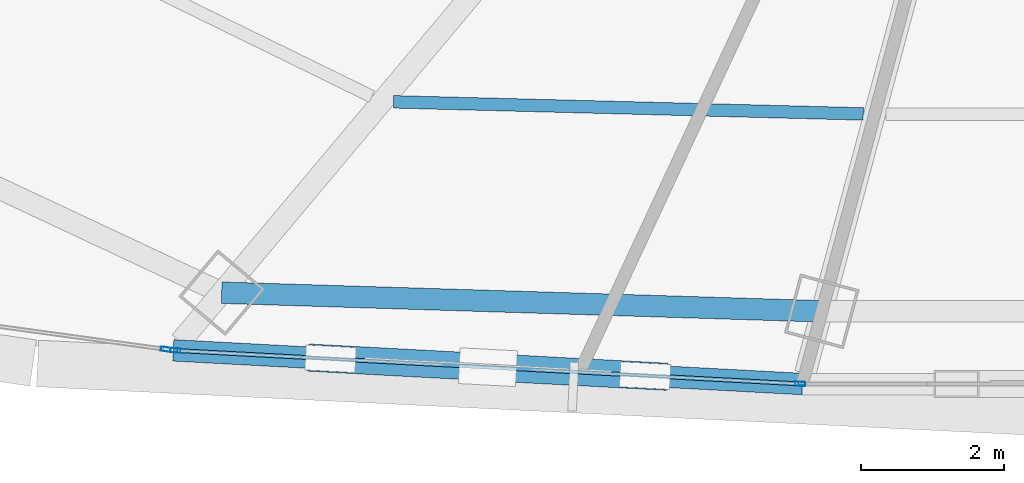
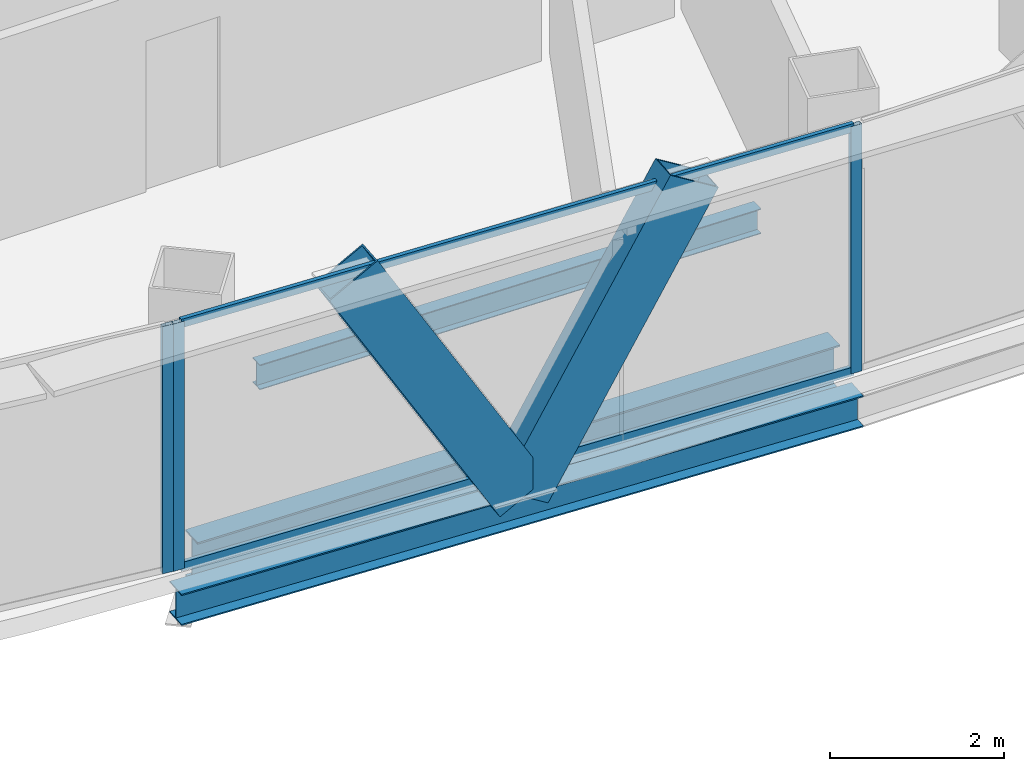
# One storey, part 6 of 36: 7 members, 3 beams, 2 elements without a shape of their own.
"""IFC4 building model written with IfcOpenShell, lengths in metres."""

from ifc_helpers import new_model, si_unit, direction, frame, origin, origin_2d, place, context, subcontext, project, spatial, hollow_rectangle, i_section, extrude, source, transform, mapped, material, layer, layer_set, material_profile, profile_set, type_object, element, aggregate, save


model = new_model("IFC4")

# Units and contexts
model_context = context("Model", 3, precision=1e-05, world=origin(), true_north=direction((0.0, 1.0)))
body_context = subcontext(model_context, "Body", "Model", "MODEL_VIEW")
ifc_project = project(units=[si_unit("LENGTHUNIT", "METRE"), si_unit("AREAUNIT", "SQUARE_METRE"), si_unit("VOLUMEUNIT", "CUBIC_METRE"), si_unit("PLANEANGLEUNIT", "RADIAN"), si_unit("MASSUNIT", "GRAM", prefix="KILO"), si_unit("THERMODYNAMICTEMPERATUREUNIT", "KELVIN"), si_unit("POWERUNIT", "WATT")], contexts=[model_context])

# Site, building, storey
site_placement = place(None, origin())
site = spatial("IfcSite", under=ifc_project, at=site_placement, CompositionType="ELEMENT")
building_placement = place(site_placement, origin())
building = spatial("IfcBuilding", under=site, at=building_placement, Name="Yunzhuo Pagoda Commons", CompositionType="ELEMENT")
storey_placement = place(building_placement, frame((0.0, 0.0, 263.179931640625)))
storey = spatial("IfcBuildingStorey", under=building, at=storey_placement, Name="L66", CompositionType="ELEMENT", Elevation=263.179931640625)

# Beams
ifc_material_1 = material(Name="Structural steel Q355B", Category="steel")
ifc_material_profile_1 = material_profile(ifc_material_1, i_section(OverallWidth=0.300048828125, OverallDepth=0.64990234375, WebThickness=0.012939453125, FlangeThickness=0.02197265625, at=origin_2d()), Name="Structural steel Q355B")
ifc_profile_set_1 = profile_set([ifc_material_profile_1], Name="Structural steel Q355B")
beam_type_1 = type_object("IfcBeamType", Name="B-RG2 Beam HN 650x300x13x22", PredefinedType="BEAM", material=ifc_profile_set_1)
shared_shape_1 = source(origin(), body_context, "Body", "SweptSolid", [
    extrude(i_section(OverallWidth=0.300048828125, OverallDepth=0.64990234375, WebThickness=0.012939453125, FlangeThickness=0.02197265625, at=origin_2d()), origin(), (0.0, 0.0, 1.0), 8.37939453125),
])
beam_1_placement = place(storey_placement, frame((35.593017578125, 18.913818359375, -0.5849609375), z_axis=(0.999519382133, -0.031000076447, 0.0), x_axis=(0.031000076447, 0.999519382133, 0.0)))
element("IfcBeam", 1, at=beam_1_placement, inside=storey, type_object=beam_type_1, Name="L66 column-ring beam 1", PredefinedType="BEAM", context=body_context, shape_type="MappedRepresentation", body=[
    mapped(shared_shape_1, transform((0.0, 0.0, 0.0), scale=1.0)),
])
ifc_material_profile_2 = material_profile(ifc_material_1, i_section(OverallWidth=0.175048828125, OverallDepth=0.35009765625, WebThickness=0.007080078125, FlangeThickness=0.010986328125, at=origin_2d()), Name="Structural steel Q355B")
ifc_profile_set_2 = profile_set([ifc_material_profile_2], Name="Structural steel Q355B")
beam_type_2 = type_object("IfcBeamType", Name="B-JS2 Joist HN 350x175x7x11", PredefinedType="JOIST", material=ifc_profile_set_2)
shared_shape_2 = source(origin(), body_context, "Body", "SweptSolid", [
    extrude(i_section(OverallWidth=0.175048828125, OverallDepth=0.35009765625, WebThickness=0.007080078125, FlangeThickness=0.010986328125, at=origin_2d()), origin(), (0.0, 0.0, 1.0), 6.558349609375),
])
beam_2_placement = place(storey_placement, frame((37.990234375, 21.577392578125, -0.434814453125), z_axis=(0.99966910323, -0.025723220017, 0.0), x_axis=(0.025723220017, 0.99966910323, 0.0)))
element("IfcBeam", 2, at=beam_2_placement, inside=storey, type_object=beam_type_2, Name="L66 composite ring joist 2.1", PredefinedType="JOIST", context=body_context, shape_type="MappedRepresentation", body=[
    mapped(shared_shape_2, transform((0.0, 0.0, 0.0), scale=1.0)),
])
ifc_material_profile_3 = material_profile(ifc_material_1, i_section(OverallWidth=0.300048828125, OverallDepth=0.43994140625, WebThickness=0.010986328125, FlangeThickness=0.01806640625, at=origin_2d()), Name="Structural steel Q355B")
ifc_profile_set_3 = profile_set([ifc_material_profile_3], Name="Structural steel Q355B")
beam_type_3 = type_object("IfcBeamType", Name="B-SP2 Beam HM 440x300x11x18", PredefinedType="BEAM", material=ifc_profile_set_3)
shared_shape_3 = source(origin(), body_context, "Body", "SweptSolid", [
    extrude(i_section(OverallWidth=0.300048828125, OverallDepth=0.43994140625, WebThickness=0.010986328125, FlangeThickness=0.01806640625, at=origin_2d()), origin(), (0.0, 0.0, 1.0), 8.791259765625),
])
beam_3_placement = place(storey_placement, frame((34.91796875, 18.109375, -0.47998046875), z_axis=(0.998571573919, -0.053430438518, 0.0), x_axis=(0.053430438518, 0.998571573919, 0.0)))
element("IfcBeam", 3, at=beam_3_placement, inside=storey, type_object=beam_type_3, Name="L66 facade edge spandrel beam F1.1", PredefinedType="BEAM", context=body_context, shape_type="MappedRepresentation", body=[
    mapped(shared_shape_3, transform((0.0, 0.0, 0.0), scale=1.0)),
])

# Members
ifc_material_profile_4 = material_profile(ifc_material_1, hollow_rectangle(XDim=0.3798828125, YDim=0.719970703125, WallThickness=0.02001953125, at=origin_2d()), Name="Structural steel Q355B")
ifc_profile_set_4 = profile_set([ifc_material_profile_4], Name="Structural steel Q355B")
member_type_1 = type_object("IfcMemberType", Name="M-DL3 Brace BOX 720x380x20", PredefinedType="BRACE", material=ifc_profile_set_4)
shared_shape_4 = source(origin(), body_context, "Body", "SweptSolid", [
    extrude(hollow_rectangle(XDim=0.3798828125, YDim=0.719970703125, WallThickness=0.02001953125, at=origin_2d()), origin(), (0.0, 0.0, 1.0), 4.329345703125),
])
for number, where, z_axis, x_axis, name in (
    (4, (39.307373046875, 17.87451171875, -0.260009765625), (-0.506956794418, 0.027124162193, 0.861544594562), (-0.053427475341, -0.998571732465, 0.0), "L66 facade diamond brace F1.1L"),
    (5, (39.307373046875, 17.87451171875, -0.260009765625), (0.50691489426, -0.027124937606, 0.861569223996), (0.053433402023, 0.998571415347, 0.0), "L66 facade diamond brace F1.1R"),
):
    element("IfcMember", number, at=place(storey_placement, frame(where, z_axis=z_axis, x_axis=x_axis)), inside=storey, type_object=member_type_1, Name=name, PredefinedType="BRACE", context=body_context, shape_type="MappedRepresentation", body=[
        mapped(shared_shape_4, transform((0.0, 0.0, 0.0), scale=1.0)),
    ])

# Curtain wall, members
ifc_material_2 = material(Name="Anodized aluminium 6063-T6", Category="aluminium")
ifc_layer = layer(ifc_material_2, 0.139892578125)
ifc_layer_set = layer_set([ifc_layer], Name="Anodized aluminium 6063-T6")
curtain_wall_type = type_object("IfcCurtainWallType", Name="CW-HI High-Zone Ribbon Curtain Wall", PredefinedType="NOTDEFINED", material=ifc_layer_set)
curtain_wall_1_placement = place(storey_placement, origin())
curtain_wall_1 = element("IfcCurtainWall", 6, at=curtain_wall_1_placement, inside=storey, type_object=curtain_wall_type, Name="L66 curtain wall CW-L66-F1B2", PredefinedType="NOTDEFINED")
ifc_material_profile_5 = material_profile(ifc_material_2, hollow_rectangle(XDim=0.06005859375, YDim=0.139892578125, WallThickness=0.00341796875, at=origin_2d()), Name="Anodized aluminium 6063-T6")
ifc_profile_set_5 = profile_set([ifc_material_profile_5], Name="Anodized aluminium 6063-T6")
member_type_2 = type_object("IfcMemberType", Name="CW-HI-M Mullion RHS 140x60x3.5", PredefinedType="MULLION", material=ifc_profile_set_5)
shared_shape_5 = source(origin(), body_context, "Body", "SweptSolid", [
    extrude(hollow_rectangle(XDim=0.06005859375, YDim=0.139892578125, WallThickness=0.00341796875, at=origin_2d()), origin(), (0.0, 0.0, 1.0), 3.469970703125),
])
member_1_placement = place(storey_placement, frame((34.94775390625, 18.10791015625, 0.0), z_axis=(0.0, 0.0, 1.0), x_axis=(0.053427477858, 0.998571732331, 0.0)))
member_1 = element("IfcMember", 7, at=member_1_placement, type_object=member_type_2, Name="CW mullion 1", PredefinedType="MULLION", context=body_context, shape_type="MappedRepresentation", body=[
    mapped(shared_shape_5, transform((0.0, 0.0, 0.0), scale=1.0)),
])
member_2_placement = place(storey_placement, frame((43.666748046875, 17.641357421875, 0.0), z_axis=(0.0, 0.0, 1.0), x_axis=(0.053427477858, 0.998571732331, 0.0)))
member_2 = element("IfcMember", 8, at=member_2_placement, type_object=member_type_2, Name="CW mullion 2", PredefinedType="MULLION", context=body_context, shape_type="MappedRepresentation", body=[
    mapped(shared_shape_5, transform((0.0, 0.0, 0.0), scale=1.0)),
])

# Curtain wall, member
curtain_wall_2_placement = place(storey_placement, origin())
curtain_wall_2 = element("IfcCurtainWall", 9, at=curtain_wall_2_placement, inside=storey, type_object=curtain_wall_type, Name="L66 curtain wall CW-L66-F1B1", PredefinedType="NOTDEFINED")
member_3_placement = place(storey_placement, frame((34.81396484375, 18.123779296875, 0.0), z_axis=(0.0, 0.0, 1.0), x_axis=(0.136099051399, 0.990695234776, 0.0)))
member_3 = element("IfcMember", 10, at=member_3_placement, type_object=member_type_2, Name="CW mullion 2", PredefinedType="MULLION", context=body_context, shape_type="MappedRepresentation", body=[
    mapped(shared_shape_5, transform((0.0, 0.0, 0.0), scale=1.0)),
])
aggregate(curtain_wall_2, [member_3])

# Member
ifc_material_profile_6 = material_profile(ifc_material_2, hollow_rectangle(XDim=0.054931640625, YDim=0.1201171875, WallThickness=0.00341796875, at=origin_2d()), Name="Anodized aluminium 6063-T6")
ifc_profile_set_6 = profile_set([ifc_material_profile_6], Name="Anodized aluminium 6063-T6")
member_type_3 = type_object("IfcMemberType", Name="CW-HI-T Transom RHS 120x55x3.5", PredefinedType="USERDEFINED", material=ifc_profile_set_6)
shared_shape_6 = source(origin(), body_context, "Body", "SweptSolid", [
    extrude(hollow_rectangle(XDim=0.054931640625, YDim=0.1201171875, WallThickness=0.00341796875, at=origin_2d()), origin(), (0.0, 0.0, 1.0), 8.67138671875),
])
member_4_placement = place(storey_placement, frame((34.977783203125, 18.106201171875, 0.02783203125), z_axis=(0.998571165488, -0.053438071224, 0.0), x_axis=(0.053438071224, 0.998571165488, 0.0)))
member_4 = element("IfcMember", 11, at=member_4_placement, type_object=member_type_3, Name="CW transom 1.1", ObjectType="TRANSOM", PredefinedType="USERDEFINED", context=body_context, shape_type="MappedRepresentation", body=[
    mapped(shared_shape_6, transform((0.0, 0.0, 0.0), scale=1.0)),
])

member_5_placement = place(storey_placement, frame((34.977783203125, 18.106201171875, 3.442626953125), z_axis=(0.998571165488, -0.053438071224, 0.0), x_axis=(0.053438071224, 0.998571165488, 0.0)))
member_5 = element("IfcMember", 12, at=member_5_placement, type_object=member_type_3, Name="CW transom 1.2", ObjectType="TRANSOM", PredefinedType="USERDEFINED", context=body_context, shape_type="MappedRepresentation", body=[
    mapped(shared_shape_6, transform((0.0, 0.0, 0.0), scale=1.0)),
])

aggregate(curtain_wall_1, [member_1, member_2, member_4, member_5])

save(model, "model.ifc")
